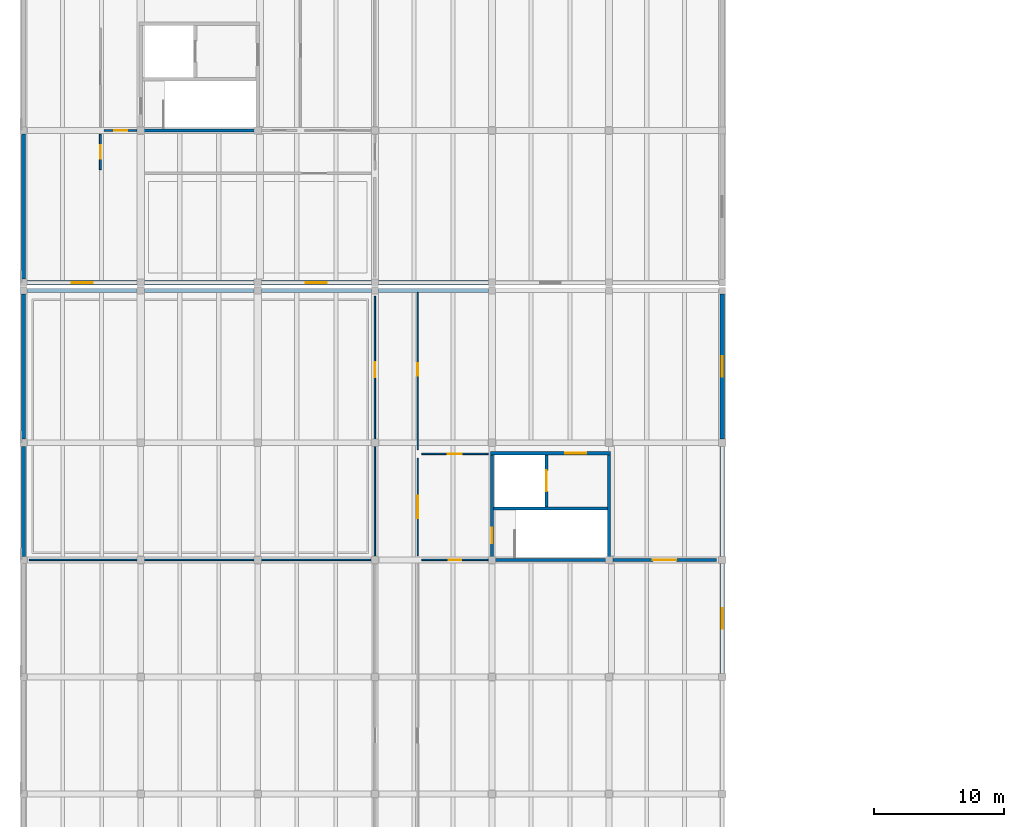
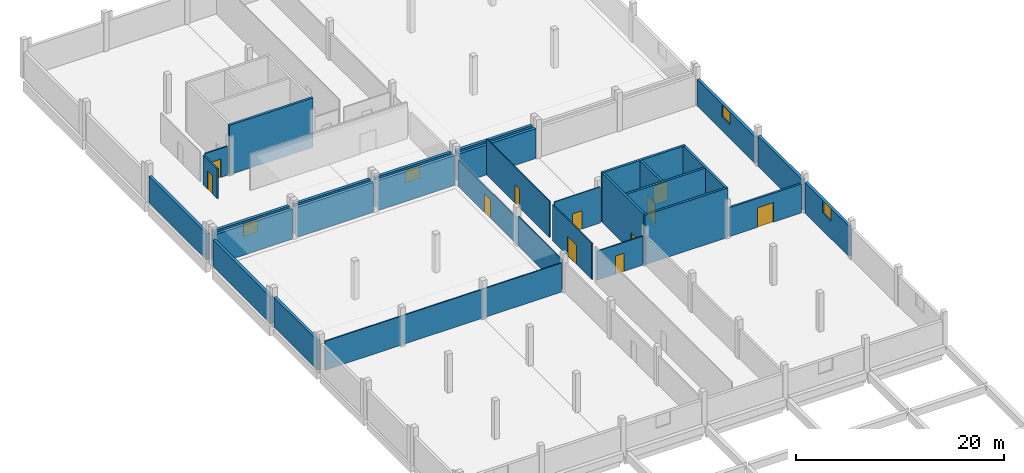
# One storey, part 10 of 25: 31 walls, 11 doors, 4 windows, 15 openings.
"""IFC4 building model written with IfcOpenShell, lengths in metres."""

from ifc_helpers import new_model, si_unit, direction, frame, frame_2d, origin, place, context, subcontext, project, spatial, rectangle, extrude, material, layer, layer_set, type_object, element, fill, save


model = new_model("IFC4")

# Units and contexts
model_context = context("Model", 3, precision=1e-05, world=origin(), true_north=direction((0.0, 1.0)))
body_context = subcontext(model_context, "Body", "Model", "MODEL_VIEW")
ifc_project = project(units=[si_unit("LENGTHUNIT", "METRE"), si_unit("AREAUNIT", "SQUARE_METRE"), si_unit("VOLUMEUNIT", "CUBIC_METRE"), si_unit("PLANEANGLEUNIT", "RADIAN"), si_unit("MASSUNIT", "GRAM", prefix="KILO")], contexts=[model_context])

# Site, building, storey
site_placement = place(None, origin())
site = spatial("IfcSite", under=ifc_project, at=site_placement, CompositionType="ELEMENT")
building_placement = place(site_placement, origin())
building = spatial("IfcBuilding", under=site, at=building_placement, Name="Zacnel Wholesale Market", CompositionType="ELEMENT")
storey_placement = place(building_placement, frame((0.0, 0.0, 15.75)))
storey = spatial("IfcBuildingStorey", under=building, at=storey_placement, Name="L04", CompositionType="ELEMENT", Elevation=15.75)

# Wall, opening, door
ifc_material_1 = material(Name="PIR insulated cold-store panel")
ifc_layer_1 = layer(ifc_material_1, 0.2099609375)
ifc_layer_set_1 = layer_set([ifc_layer_1], Name="PIR insulated cold-store panel")
wall_type_1 = type_object("IfcWallType", Name="WL-COLD-INT210", PredefinedType="STANDARD", material=ifc_layer_set_1)
wall_1_placement = place(storey_placement, frame((63.300048828125, 75.0, 0.0), z_axis=(0.0, 0.0, 1.0), x_axis=(1.0, 0.0, 0.0)))
wall_1 = element("IfcWall", 1, at=wall_1_placement, inside=storey, type_object=wall_type_1, Name="Interior partition L04-0199", PredefinedType="STANDARD", context=body_context, shape_type="SweptSolid", body=[
    extrude(rectangle(XDim=7.949951171875, YDim=0.2099609375, at=frame_2d((3.97509765625, 0.0))), origin(), (0.0, 0.0, 1.0), 3.39990234375),
])
opening_1_placement = place(wall_1_placement, frame((3.074951171875, 0.0, 0.0)))
opening_1 = element("IfcOpeningElement", 2, at=opening_1_placement, cuts=wall_1, Name="Opening FD-03", PredefinedType="OPENING", context=body_context, shape_type="SweptSolid", body=[
    extrude(rectangle(XDim=1.800048828125, YDim=2.300048828125, at=frame_2d((0.89990234375, 1.14990234375))), frame((0.0, 0.114990234375, 0.0), z_axis=(0.0, -1.0, 0.0), x_axis=(1.0, 0.0, 0.0)), (0.0, 0.0, 1.0), 0.22998046875),
])
ifc_material_2 = material(Name="Galvanized steel", Category="steel")
door_type_1 = type_object("IfcDoorType", Name="DR-FIRE-COMP-1800", OperationType="NOTDEFINED", PredefinedType="DOOR", material=ifc_material_2)
door_1_placement = place(opening_1_placement, origin())
door_1 = element("IfcDoor", 3, at=door_1_placement, inside=storey, type_object=door_type_1, Name="Interior door L04-0154", OperationType="SINGLE_SWING_LEFT", OverallHeight=2.300048828125, OverallWidth=1.800048828125, PredefinedType="DOOR", context=body_context, shape_type="SweptSolid", body=[
    extrude(rectangle(XDim=1.800048828125, YDim=2.300048828125, at=frame_2d((0.89990234375, 1.14990234375))), frame((0.0, 0.02490234375, 0.0), z_axis=(0.0, -1.0, 0.0), x_axis=(1.0, 0.0, 0.0)), (0.0, 0.0, 1.0), 0.050048828125),
])
fill(opening_1, door_1)

# Wall
ifc_material_3 = material(Name="Concrete C40/50", Category="concrete")
ifc_layer_2 = layer(ifc_material_3, 0.25)
ifc_layer_set_2 = layer_set([ifc_layer_2], Name="Concrete C40/50")
wall_type_2 = type_object("IfcWallType", Name="WL-CORE-SW250", PredefinedType="SOLIDWALL", material=ifc_layer_set_2)
wall_2_placement = place(storey_placement, frame((53.875, 75.0, 0.0), z_axis=(0.0, 0.0, 1.0), x_axis=(1.0, 0.0, 0.0)))
element("IfcWall", 4, at=wall_2_placement, inside=storey, type_object=wall_type_2, Name="Core C4 south shear wall L04", PredefinedType="SOLIDWALL", context=body_context, shape_type="SweptSolid", body=[
    extrude(rectangle(XDim=9.25, YDim=0.25, at=frame_2d((4.625, 0.0))), origin(), (0.0, 0.0, 1.0), 5.800048828125),
])

# Wall, opening, door
wall_3_placement = place(storey_placement, frame((53.875, 83.199951171875, 0.0), z_axis=(0.0, 0.0, 1.0), x_axis=(1.0, 0.0, 0.0)))
wall_3 = element("IfcWall", 5, at=wall_3_placement, inside=storey, type_object=wall_type_2, Name="Core C4 north shear wall L04", PredefinedType="SOLIDWALL", context=body_context, shape_type="SweptSolid", body=[
    extrude(rectangle(XDim=9.25, YDim=0.25, at=frame_2d((4.625, 0.0))), origin(), (0.0, 0.0, 1.0), 5.800048828125),
])
opening_2_placement = place(wall_3_placement, frame((5.77490234375, 0.0, 0.0)))
opening_2 = element("IfcOpeningElement", 6, at=opening_2_placement, cuts=wall_3, Name="Opening FD-02", PredefinedType="OPENING", context=body_context, shape_type="SweptSolid", body=[
    extrude(rectangle(XDim=1.60009765625, YDim=2.199951171875, at=frame_2d((0.800048828125, 1.10009765625))), frame((0.0, 0.135009765625, 0.0), z_axis=(0.0, -1.0, 0.0), x_axis=(1.0, 0.0, 0.0)), (0.0, 0.0, 1.0), 0.27001953125),
])
ifc_material_4 = material(Name="Galvanized steel", Category="steel")
door_type_2 = type_object("IfcDoorType", Name="DR-FIRE-LOBBY-1600", OperationType="NOTDEFINED", PredefinedType="DOOR", material=ifc_material_4)
door_2_placement = place(opening_2_placement, origin())
door_2 = element("IfcDoor", 7, at=door_2_placement, inside=storey, type_object=door_type_2, Name="Core lift lobby fire door C4 L04", OperationType="SINGLE_SWING_LEFT", OverallHeight=2.199951171875, OverallWidth=1.60009765625, PredefinedType="DOOR", context=body_context, shape_type="SweptSolid", body=[
    extrude(rectangle(XDim=1.60009765625, YDim=2.199951171875, at=frame_2d((0.800048828125, 1.10009765625))), frame((0.0, 0.02490234375, 0.0), z_axis=(0.0, -1.0, 0.0), x_axis=(1.0, 0.0, 0.0)), (0.0, 0.0, 1.0), 0.050048828125),
])
fill(opening_2, door_2)

wall_4_placement = place(storey_placement, frame((54.0, 75.125, 0.0), z_axis=(0.0, 0.0, 1.0), x_axis=(0.0, 1.0, 0.0)))
wall_4 = element("IfcWall", 8, at=wall_4_placement, inside=storey, type_object=wall_type_2, Name="Core C4 west shear wall L04", PredefinedType="SOLIDWALL", context=body_context, shape_type="SweptSolid", body=[
    extrude(rectangle(XDim=7.949951171875, YDim=0.25, at=frame_2d((3.97509765625, 0.0))), origin(), (0.0, 0.0, 1.0), 5.800048828125),
])
opening_3_placement = place(wall_4_placement, frame((1.14990234375, 0.0, 0.0)))
opening_3 = element("IfcOpeningElement", 9, at=opening_3_placement, cuts=wall_4, Name="Opening FD-01", PredefinedType="OPENING", context=body_context, shape_type="SweptSolid", body=[
    extrude(rectangle(XDim=1.199951171875, YDim=2.199951171875, at=frame_2d((0.60009765625, 1.10009765625))), frame((0.0, 0.135009765625, 0.0), z_axis=(0.0, -1.0, 0.0), x_axis=(1.0, 0.0, 0.0)), (0.0, 0.0, 1.0), 0.27001953125),
])
ifc_material_5 = material(Name="Galvanized steel", Category="steel")
door_type_3 = type_object("IfcDoorType", Name="DR-FIRE-STAIR-1200", OperationType="NOTDEFINED", PredefinedType="DOOR", material=ifc_material_5)
door_3_placement = place(opening_3_placement, origin())
door_3 = element("IfcDoor", 10, at=door_3_placement, inside=storey, type_object=door_type_3, Name="Protected stair fire door C4 L04", OperationType="SINGLE_SWING_RIGHT", OverallHeight=2.199951171875, OverallWidth=1.199951171875, PredefinedType="DOOR", context=body_context, shape_type="SweptSolid", body=[
    extrude(rectangle(XDim=1.199951171875, YDim=2.199951171875, at=frame_2d((0.60009765625, 1.10009765625))), frame((0.0, 0.02490234375, 0.0), z_axis=(0.0, -1.0, 0.0), x_axis=(1.0, 0.0, 0.0)), (0.0, 0.0, 1.0), 0.050048828125),
])
fill(opening_3, door_3)

# Walls
wall_5_placement = place(storey_placement, frame((63.0, 75.125, 0.0), z_axis=(0.0, 0.0, 1.0), x_axis=(0.0, 1.0, 0.0)))
element("IfcWall", 11, at=wall_5_placement, inside=storey, type_object=wall_type_2, Name="Core C4 east shear wall L04", PredefinedType="SOLIDWALL", context=body_context, shape_type="SweptSolid", body=[
    extrude(rectangle(XDim=7.949951171875, YDim=0.25, at=frame_2d((3.97509765625, 0.0))), origin(), (0.0, 0.0, 1.0), 5.800048828125),
])
wall_6_placement = place(storey_placement, frame((54.125, 78.949951171875, 0.0), z_axis=(0.0, 0.0, 1.0), x_axis=(1.0, 0.0, 0.0)))
element("IfcWall", 12, at=wall_6_placement, inside=storey, type_object=wall_type_2, Name="Core C4 stair-shaft shear wall L04", PredefinedType="SOLIDWALL", context=body_context, shape_type="SweptSolid", body=[
    extrude(rectangle(XDim=8.75, YDim=0.25, at=frame_2d((4.375, 0.0))), origin(), (0.0, 0.0, 1.0), 5.800048828125),
])

# Wall, opening, door
wall_7_placement = place(storey_placement, frame((58.199951171875, 79.074951171875, 0.0), z_axis=(0.0, 0.0, 1.0), x_axis=(0.0, 1.0, 0.0)))
wall_7 = element("IfcWall", 13, at=wall_7_placement, inside=storey, type_object=wall_type_2, Name="Core C4 lift shaft front wall L04", PredefinedType="SOLIDWALL", context=body_context, shape_type="SweptSolid", body=[
    extrude(rectangle(XDim=4.0, YDim=0.25, at=frame_2d((2.0, 0.0))), origin(), (0.0, 0.0, 1.0), 5.800048828125),
])
opening_4_placement = place(wall_7_placement, frame((1.199951171875, 0.0, 0.0)))
opening_4 = element("IfcOpeningElement", 14, at=opening_4_placement, cuts=wall_7, Name="Opening LD-02", PredefinedType="OPENING", context=body_context, shape_type="SweptSolid", body=[
    extrude(rectangle(XDim=1.60009765625, YDim=2.39990234375, at=frame_2d((0.800048828125, 1.199951171875))), frame((0.0, 0.135009765625, 0.0), z_axis=(0.0, -1.0, 0.0), x_axis=(1.0, 0.0, 0.0)), (0.0, 0.0, 1.0), 0.27001953125),
])
ifc_material_6 = material(Name="Galvanized steel", Category="steel")
door_type_4 = type_object("IfcDoorType", Name="DR-LIFT-GOODS-1600", OperationType="NOTDEFINED", PredefinedType="DOOR", material=ifc_material_6)
door_4_placement = place(opening_4_placement, origin())
door_4 = element("IfcDoor", 15, at=door_4_placement, inside=storey, type_object=door_type_4, Name="Lift landing door LG-02 L04", OperationType="SLIDING_TO_LEFT", OverallHeight=2.39990234375, OverallWidth=1.60009765625, PredefinedType="DOOR", context=body_context, shape_type="SweptSolid", body=[
    extrude(rectangle(XDim=1.60009765625, YDim=2.39990234375, at=frame_2d((0.800048828125, 1.199951171875))), frame((0.0, 0.02490234375, 0.0), z_axis=(0.0, -1.0, 0.0), x_axis=(1.0, 0.0, 0.0)), (0.0, 0.0, 1.0), 0.050048828125),
])
fill(opening_4, door_4)

# Walls
wall_8_placement = place(storey_placement, frame((26.875, 108.0, 0.0), z_axis=(0.0, 0.0, 1.0), x_axis=(1.0, 0.0, 0.0)))
element("IfcWall", 16, at=wall_8_placement, inside=storey, type_object=wall_type_2, Name="Core C5 south shear wall L04", PredefinedType="SOLIDWALL", context=body_context, shape_type="SweptSolid", body=[
    extrude(rectangle(XDim=9.25, YDim=0.25, at=frame_2d((4.625, 0.0))), origin(), (0.0, 0.0, 1.0), 5.800048828125),
])
ifc_material_7 = material(Name="Precast concrete C40/50 (insulated sandwich panel)", Category="concrete")
ifc_layer_3 = layer(ifc_material_7, 0.320068359375)
ifc_layer_set_3 = layer_set([ifc_layer_3], Name="Precast concrete C40/50 (insulated sandwich panel)")
wall_type_3 = type_object("IfcWallType", Name="WL-EXT-COLD-320", PredefinedType="SOLIDWALL", material=ifc_layer_set_3)
for number, where, z_axis, x_axis, name in (
    (17, (18.27490234375, 95.699951171875, 0.0), (0.0, 0.0, 1.0), (1.0, 0.0, 0.0), "Exterior wall L04-0439"),
    (18, (27.27490234375, 95.699951171875, 0.0), (0.0, 0.0, 1.0), (1.0, 0.0, 0.0), "Exterior wall L04-0440"),
    (19, (36.27490234375, 95.699951171875, 0.0), (0.0, 0.0, 1.0), (1.0, 0.0, 0.0), "Exterior wall L04-0441"),
    (20, (45.27490234375, 95.699951171875, 0.0), (0.0, 0.0, 1.0), (1.0, 0.0, 0.0), "Exterior wall L04-0442"),
):
    element("IfcWall", number, at=place(storey_placement, frame(where, z_axis=z_axis, x_axis=x_axis)), inside=storey, type_object=wall_type_3, Name=name, PredefinedType="SOLIDWALL", context=body_context, shape_type="SweptSolid", body=[
        extrude(rectangle(XDim=8.4501953125, YDim=0.320068359375, at=frame_2d((4.22509765625, 0.0))), origin(), (0.0, 0.0, 1.0), 3.5),
    ])
wall_9_placement = place(storey_placement, frame((18.0, 75.27490234375, 0.0), z_axis=(0.0, 0.0, 1.0), x_axis=(0.0, 1.0, 0.0)))
element("IfcWall", 21, at=wall_9_placement, inside=storey, type_object=wall_type_3, Name="Exterior wall L04-0448", PredefinedType="SOLIDWALL", context=body_context, shape_type="SweptSolid", body=[
    extrude(rectangle(XDim=8.4501953125, YDim=0.320068359375, at=frame_2d((4.22509765625, 0.0))), origin(), (0.0, 0.0, 1.0), 3.449951171875),
])
wall_10_placement = place(storey_placement, frame((18.0, 84.27490234375, 0.0), z_axis=(0.0, 0.0, 1.0), x_axis=(0.0, 1.0, 0.0)))
element("IfcWall", 22, at=wall_10_placement, inside=storey, type_object=wall_type_3, Name="Exterior wall L04-0449", PredefinedType="SOLIDWALL", context=body_context, shape_type="SweptSolid", body=[
    extrude(rectangle(XDim=11.150146484375, YDim=0.320068359375, at=frame_2d((5.5751953125, 0.0))), origin(), (0.0, 0.0, 1.0), 3.10009765625),
])

# Wall, opening, window
wall_11_placement = place(storey_placement, frame((71.699951171875, 66.27490234375, 0.0), z_axis=(0.0, 0.0, 1.0), x_axis=(0.0, 1.0, 0.0)))
wall_11 = element("IfcWall", 23, at=wall_11_placement, inside=storey, type_object=wall_type_3, Name="Exterior wall L04-0452", PredefinedType="SOLIDWALL", context=body_context, shape_type="SweptSolid", body=[
    extrude(rectangle(XDim=8.4501953125, YDim=0.320068359375, at=frame_2d((4.22509765625, 0.0))), origin(), (0.0, 0.0, 1.0), 3.570068359375),
])
opening_5_placement = place(wall_11_placement, frame((3.425048828125, 0.0, 2.080078125)))
opening_5 = element("IfcOpeningElement", 24, at=opening_5_placement, cuts=wall_11, Name="Opening W-06", PredefinedType="OPENING", context=body_context, shape_type="SweptSolid", body=[
    extrude(rectangle(XDim=1.60009765625, YDim=1.449951171875, at=frame_2d((0.800048828125, 0.72509765625))), frame((0.0, 0.169921875, 0.0), z_axis=(0.0, -1.0, 0.0), x_axis=(1.0, 0.0, 0.0)), (0.0, 0.0, 1.0), 0.340087890625),
])
ifc_material_8 = material(Name="Laminated hurricane-impact low-E insulated glass", Category="glass")
window_type = type_object("IfcWindowType", Name="WIN-HIG-1600X1450", PartitioningType="DOUBLE_PANEL_HORIZONTAL", PredefinedType="WINDOW", material=ifc_material_8)
window_1_placement = place(opening_5_placement, origin())
window_1 = element("IfcWindow", 25, at=window_1_placement, inside=storey, type_object=window_type, Name="Window L04-0489", OverallHeight=1.449951171875, OverallWidth=1.60009765625, PartitioningType="DOUBLE_PANEL_HORIZONTAL", PredefinedType="WINDOW", context=body_context, shape_type="SweptSolid", body=[
    extrude(rectangle(XDim=1.60009765625, YDim=1.449951171875, at=frame_2d((0.800048828125, 0.72509765625))), frame((0.0, 0.030029296875, 0.0), z_axis=(0.0, -1.0, 0.0), x_axis=(1.0, 0.0, 0.0)), (0.0, 0.0, 1.0), 0.06005859375),
])
fill(opening_5, window_1)

# Wall
wall_12_placement = place(storey_placement, frame((71.699951171875, 75.27490234375, 0.0), z_axis=(0.0, 0.0, 1.0), x_axis=(0.0, 1.0, 0.0)))
element("IfcWall", 26, at=wall_12_placement, inside=storey, type_object=wall_type_3, Name="Exterior wall L04-0453", PredefinedType="SOLIDWALL", context=body_context, shape_type="SweptSolid", body=[
    extrude(rectangle(XDim=8.4501953125, YDim=0.320068359375, at=frame_2d((4.22509765625, 0.0))), origin(), (0.0, 0.0, 1.0), 3.570068359375),
])

# Wall, opening, window
wall_13_placement = place(storey_placement, frame((71.699951171875, 84.27490234375, 0.0), z_axis=(0.0, 0.0, 1.0), x_axis=(0.0, 1.0, 0.0)))
wall_13 = element("IfcWall", 27, at=wall_13_placement, inside=storey, type_object=wall_type_3, Name="Exterior wall L04-0454", PredefinedType="SOLIDWALL", context=body_context, shape_type="SweptSolid", body=[
    extrude(rectangle(XDim=11.175048828125, YDim=0.320068359375, at=frame_2d((5.58740234375, 0.0))), origin(), (0.0, 0.0, 1.0), 3.10009765625),
])
opening_6_placement = place(wall_13_placement, frame((4.7880859375, 0.0, 1.610107421875)))
opening_6 = element("IfcOpeningElement", 28, at=opening_6_placement, cuts=wall_13, Name="Opening W-06", PredefinedType="OPENING", context=body_context, shape_type="SweptSolid", body=[
    extrude(rectangle(XDim=1.60009765625, YDim=1.449951171875, at=frame_2d((0.800048828125, 0.72509765625))), frame((0.0, 0.169921875, 0.0), z_axis=(0.0, -1.0, 0.0), x_axis=(1.0, 0.0, 0.0)), (0.0, 0.0, 1.0), 0.340087890625),
])
window_2_placement = place(opening_6_placement, origin())
window_2 = element("IfcWindow", 29, at=window_2_placement, inside=storey, type_object=window_type, Name="Window L04-0490", OverallHeight=1.449951171875, OverallWidth=1.60009765625, PartitioningType="DOUBLE_PANEL_HORIZONTAL", PredefinedType="WINDOW", context=body_context, shape_type="SweptSolid", body=[
    extrude(rectangle(XDim=1.60009765625, YDim=1.449951171875, at=frame_2d((0.800048828125, 0.72509765625))), frame((0.0, 0.030029296875, 0.0), z_axis=(0.0, -1.0, 0.0), x_axis=(1.0, 0.0, 0.0)), (0.0, 0.0, 1.0), 0.06005859375),
])
fill(opening_6, window_2)

wall_14_placement = place(storey_placement, frame((18.27490234375, 96.300048828125, 0.0), z_axis=(0.0, 0.0, 1.0), x_axis=(1.0, 0.0, 0.0)))
wall_14 = element("IfcWall", 30, at=wall_14_placement, inside=storey, type_object=wall_type_3, Name="Exterior wall L04-0455", PredefinedType="SOLIDWALL", context=body_context, shape_type="SweptSolid", body=[
    extrude(rectangle(XDim=8.4501953125, YDim=0.320068359375, at=frame_2d((4.22509765625, 0.0))), origin(), (0.0, 0.0, 1.0), 3.5),
])
opening_7_placement = place(wall_14_placement, frame((3.425048828125, 0.0, 1.610107421875)))
opening_7 = element("IfcOpeningElement", 31, at=opening_7_placement, cuts=wall_14, Name="Opening W-06", PredefinedType="OPENING", context=body_context, shape_type="SweptSolid", body=[
    extrude(rectangle(XDim=1.60009765625, YDim=1.449951171875, at=frame_2d((0.800048828125, 0.72509765625))), frame((0.0, 0.169921875, 0.0), z_axis=(0.0, -1.0, 0.0), x_axis=(1.0, 0.0, 0.0)), (0.0, 0.0, 1.0), 0.340087890625),
])
window_3_placement = place(opening_7_placement, origin())
window_3 = element("IfcWindow", 32, at=window_3_placement, inside=storey, type_object=window_type, Name="Window L04-0491", OverallHeight=1.449951171875, OverallWidth=1.60009765625, PartitioningType="DOUBLE_PANEL_HORIZONTAL", PredefinedType="WINDOW", context=body_context, shape_type="SweptSolid", body=[
    extrude(rectangle(XDim=1.60009765625, YDim=1.449951171875, at=frame_2d((0.800048828125, 0.72509765625))), frame((0.0, 0.030029296875, 0.0), z_axis=(0.0, -1.0, 0.0), x_axis=(1.0, 0.0, 0.0)), (0.0, 0.0, 1.0), 0.06005859375),
])
fill(opening_7, window_3)

# Wall
wall_15_placement = place(storey_placement, frame((27.27490234375, 96.300048828125, 0.0), z_axis=(0.0, 0.0, 1.0), x_axis=(1.0, 0.0, 0.0)))
element("IfcWall", 33, at=wall_15_placement, inside=storey, type_object=wall_type_3, Name="Exterior wall L04-0456", PredefinedType="SOLIDWALL", context=body_context, shape_type="SweptSolid", body=[
    extrude(rectangle(XDim=8.4501953125, YDim=0.320068359375, at=frame_2d((4.22509765625, 0.0))), origin(), (0.0, 0.0, 1.0), 3.5),
])

# Wall, opening, window
wall_16_placement = place(storey_placement, frame((36.27490234375, 96.300048828125, 0.0), z_axis=(0.0, 0.0, 1.0), x_axis=(1.0, 0.0, 0.0)))
wall_16 = element("IfcWall", 34, at=wall_16_placement, inside=storey, type_object=wall_type_3, Name="Exterior wall L04-0457", PredefinedType="SOLIDWALL", context=body_context, shape_type="SweptSolid", body=[
    extrude(rectangle(XDim=8.4501953125, YDim=0.320068359375, at=frame_2d((4.22509765625, 0.0))), origin(), (0.0, 0.0, 1.0), 3.5),
])
opening_8_placement = place(wall_16_placement, frame((3.425048828125, 0.0, 1.610107421875)))
opening_8 = element("IfcOpeningElement", 35, at=opening_8_placement, cuts=wall_16, Name="Opening W-06", PredefinedType="OPENING", context=body_context, shape_type="SweptSolid", body=[
    extrude(rectangle(XDim=1.60009765625, YDim=1.449951171875, at=frame_2d((0.800048828125, 0.72509765625))), frame((0.0, 0.169921875, 0.0), z_axis=(0.0, -1.0, 0.0), x_axis=(1.0, 0.0, 0.0)), (0.0, 0.0, 1.0), 0.340087890625),
])
window_4_placement = place(opening_8_placement, origin())
window_4 = element("IfcWindow", 36, at=window_4_placement, inside=storey, type_object=window_type, Name="Window L04-0492", OverallHeight=1.449951171875, OverallWidth=1.60009765625, PartitioningType="DOUBLE_PANEL_HORIZONTAL", PredefinedType="WINDOW", context=body_context, shape_type="SweptSolid", body=[
    extrude(rectangle(XDim=1.60009765625, YDim=1.449951171875, at=frame_2d((0.800048828125, 0.72509765625))), frame((0.0, 0.030029296875, 0.0), z_axis=(0.0, -1.0, 0.0), x_axis=(1.0, 0.0, 0.0)), (0.0, 0.0, 1.0), 0.06005859375),
])
fill(opening_8, window_4)

# Walls
wall_17_placement = place(storey_placement, frame((45.27490234375, 96.300048828125, 0.0), z_axis=(0.0, 0.0, 1.0), x_axis=(1.0, 0.0, 0.0)))
element("IfcWall", 37, at=wall_17_placement, inside=storey, type_object=wall_type_3, Name="Exterior wall L04-0458", PredefinedType="SOLIDWALL", context=body_context, shape_type="SweptSolid", body=[
    extrude(rectangle(XDim=8.4501953125, YDim=0.320068359375, at=frame_2d((4.22509765625, 0.0))), origin(), (0.0, 0.0, 1.0), 3.5),
])
wall_18_placement = place(storey_placement, frame((18.0, 96.574951171875, 0.0), z_axis=(0.0, 0.0, 1.0), x_axis=(0.0, 1.0, 0.0)))
element("IfcWall", 38, at=wall_18_placement, inside=storey, type_object=wall_type_3, Name="Exterior wall L04-0467", PredefinedType="SOLIDWALL", context=body_context, shape_type="SweptSolid", body=[
    extrude(rectangle(XDim=11.150146484375, YDim=0.320068359375, at=frame_2d((5.5751953125, 0.0))), origin(), (0.0, 0.0, 1.0), 3.10009765625),
])

# Wall, opening, door
ifc_material_9 = material(Name="Moisture-resistant gypsum board partition")
ifc_layer_4 = layer(ifc_material_9, 0.10009765625)
ifc_layer_set_4 = layer_set([ifc_layer_4], Name="Moisture-resistant gypsum board partition")
wall_type_4 = type_object("IfcWallType", Name="WL-PART-GYP100", PredefinedType="PARTITIONING", material=ifc_layer_set_4)
wall_19_placement = place(storey_placement, frame((48.300048828125, 83.449951171875, 0.0), z_axis=(0.0, 0.0, 1.0), x_axis=(0.0, 1.0, 0.0)))
wall_19 = element("IfcWall", 39, at=wall_19_placement, inside=storey, type_object=wall_type_4, Name="Interior partition L04-0192", PredefinedType="PARTITIONING", context=body_context, shape_type="SweptSolid", body=[
    extrude(rectangle(XDim=12.110107421875, YDim=0.10009765625, at=frame_2d((6.05517578125, 0.0))), origin(), (0.0, 0.0, 1.0), 4.22998046875),
])
opening_9_placement = place(wall_19_placement, frame((5.705078125, 0.0, 0.0)))
opening_9 = element("IfcOpeningElement", 40, at=opening_9_placement, cuts=wall_19, Name="Opening ID-11", PredefinedType="OPENING", context=body_context, shape_type="SweptSolid", body=[
    extrude(rectangle(XDim=0.93994140625, YDim=2.139892578125, at=frame_2d((0.469970703125, 1.06982421875))), frame((0.0, 0.06005859375, 0.0), z_axis=(0.0, -1.0, 0.0), x_axis=(1.0, 0.0, 0.0)), (0.0, 0.0, 1.0), 0.1201171875),
])
ifc_material_10 = material(Name="Solid-core tropical hardwood door", Category="wood")
door_type_5 = type_object("IfcDoorType", Name="DR-OFF-SGL-940", OperationType="NOTDEFINED", PredefinedType="DOOR", material=ifc_material_10)
door_5_placement = place(opening_9_placement, origin())
door_5 = element("IfcDoor", 41, at=door_5_placement, inside=storey, type_object=door_type_5, Name="Interior door L04-0149", OperationType="SINGLE_SWING_RIGHT", OverallHeight=2.139892578125, OverallWidth=0.93994140625, PredefinedType="DOOR", context=body_context, shape_type="SweptSolid", body=[
    extrude(rectangle(XDim=0.93994140625, YDim=2.139892578125, at=frame_2d((0.469970703125, 1.06982421875))), frame((0.0, 0.02490234375, 0.0), z_axis=(0.0, -1.0, 0.0), x_axis=(1.0, 0.0, 0.0)), (0.0, 0.0, 1.0), 0.050048828125),
])
fill(opening_9, door_5)

wall_20_placement = place(storey_placement, frame((48.60009765625, 83.14990234375, 0.0), z_axis=(0.0, 0.0, 1.0), x_axis=(1.0, 0.0, 0.0)))
wall_20 = element("IfcWall", 42, at=wall_20_placement, inside=storey, type_object=wall_type_4, Name="Interior partition L04-0196", PredefinedType="PARTITIONING", context=body_context, shape_type="SweptSolid", body=[
    extrude(rectangle(XDim=5.099853515625, YDim=0.10009765625, at=frame_2d((2.5498046875, 0.0))), origin(), (0.0, 0.0, 1.0), 4.22998046875),
])
opening_10_placement = place(wall_20_placement, frame((2.010009765625, 0.0, 0.0)))
opening_10 = element("IfcOpeningElement", 43, at=opening_10_placement, cuts=wall_20, Name="Opening ID-10", PredefinedType="OPENING", context=body_context, shape_type="SweptSolid", body=[
    extrude(rectangle(XDim=1.080078125, YDim=2.14990234375, at=frame_2d((0.5400390625, 1.074951171875))), frame((0.0, 0.06005859375, 0.0), z_axis=(0.0, -1.0, 0.0), x_axis=(1.0, 0.0, 0.0)), (0.0, 0.0, 1.0), 0.1201171875),
])
ifc_material_11 = material(Name="Galvanized steel", Category="steel")
door_type_6 = type_object("IfcDoorType", Name="DR-STR-SGL-1080", OperationType="NOTDEFINED", PredefinedType="DOOR", material=ifc_material_11)
door_6_placement = place(opening_10_placement, origin())
door_6 = element("IfcDoor", 44, at=door_6_placement, inside=storey, type_object=door_type_6, Name="Interior door L04-0153", OperationType="SINGLE_SWING_RIGHT", OverallHeight=2.14990234375, OverallWidth=1.080078125, PredefinedType="DOOR", context=body_context, shape_type="SweptSolid", body=[
    extrude(rectangle(XDim=1.080078125, YDim=2.14990234375, at=frame_2d((0.5400390625, 1.074951171875))), frame((0.0, 0.02490234375, 0.0), z_axis=(0.0, -1.0, 0.0), x_axis=(1.0, 0.0, 0.0)), (0.0, 0.0, 1.0), 0.050048828125),
])
fill(opening_10, door_6)

ifc_material_12 = material(Name="Moisture-resistant gypsum board partition")
ifc_layer_5 = layer(ifc_material_12, 0.110107421875)
ifc_layer_set_5 = layer_set([ifc_layer_5], Name="Moisture-resistant gypsum board partition")
wall_type_5 = type_object("IfcWallType", Name="WL-PART-GYP110", PredefinedType="PARTITIONING", material=ifc_layer_set_5)
wall_21_placement = place(storey_placement, frame((48.60009765625, 75.0, 0.0), z_axis=(0.0, 0.0, 1.0), x_axis=(1.0, 0.0, 0.0)))
wall_21 = element("IfcWall", 45, at=wall_21_placement, inside=storey, type_object=wall_type_5, Name="Interior partition L04-0195", PredefinedType="PARTITIONING", context=body_context, shape_type="SweptSolid", body=[
    extrude(rectangle(XDim=5.099853515625, YDim=0.110107421875, at=frame_2d((2.5498046875, 0.0))), origin(), (0.0, 0.0, 1.0), 3.39990234375),
])
opening_11_placement = place(wall_21_placement, frame((2.06005859375, 0.0, 0.0)))
opening_11 = element("IfcOpeningElement", 46, at=opening_11_placement, cuts=wall_21, Name="Opening ID-04", PredefinedType="OPENING", context=body_context, shape_type="SweptSolid", body=[
    extrude(rectangle(XDim=0.97998046875, YDim=2.1201171875, at=frame_2d((0.489990234375, 1.06005859375))), frame((0.0, 0.06494140625, 0.0), z_axis=(0.0, -1.0, 0.0), x_axis=(1.0, 0.0, 0.0)), (0.0, 0.0, 1.0), 0.130126953125),
])
ifc_material_13 = material(Name="Solid-core tropical hardwood door", Category="wood")
door_type_7 = type_object("IfcDoorType", Name="DR-OFF-SGL-980", OperationType="NOTDEFINED", PredefinedType="DOOR", material=ifc_material_13)
door_7_placement = place(opening_11_placement, origin())
door_7 = element("IfcDoor", 47, at=door_7_placement, inside=storey, type_object=door_type_7, Name="Interior door L04-0152", OperationType="SINGLE_SWING_LEFT", OverallHeight=2.1201171875, OverallWidth=0.97998046875, PredefinedType="DOOR", context=body_context, shape_type="SweptSolid", body=[
    extrude(rectangle(XDim=0.97998046875, YDim=2.1201171875, at=frame_2d((0.489990234375, 1.06005859375))), frame((0.0, 0.02490234375, 0.0), z_axis=(0.0, -1.0, 0.0), x_axis=(1.0, 0.0, 0.0)), (0.0, 0.0, 1.0), 0.050048828125),
])
fill(opening_11, door_7)

ifc_material_14 = material(Name="Moisture-resistant gypsum board partition")
ifc_layer_6 = layer(ifc_material_14, 0.125)
ifc_layer_set_6 = layer_set([ifc_layer_6], Name="Moisture-resistant gypsum board partition")
wall_type_6 = type_object("IfcWallType", Name="WL-PART-GYP125", PredefinedType="PARTITIONING", material=ifc_layer_set_6)
wall_22_placement = place(storey_placement, frame((48.300048828125, 75.300048828125, 0.0), z_axis=(0.0, 0.0, 1.0), x_axis=(0.0, 1.0, 0.0)))
wall_22 = element("IfcWall", 48, at=wall_22_placement, inside=storey, type_object=wall_type_6, Name="Interior partition L04-0190", PredefinedType="PARTITIONING", context=body_context, shape_type="SweptSolid", body=[
    extrude(rectangle(XDim=7.550048828125, YDim=0.125, at=frame_2d((3.77490234375, 0.0))), origin(), (0.0, 0.0, 1.0), 4.22998046875),
])
opening_12_placement = place(wall_22_placement, frame((2.905029296875, 0.0, 0.0)))
opening_12 = element("IfcOpeningElement", 49, at=opening_12_placement, cuts=wall_22, Name="Opening ID-15", PredefinedType="OPENING", context=body_context, shape_type="SweptSolid", body=[
    extrude(rectangle(XDim=1.739990234375, YDim=2.280029296875, at=frame_2d((0.8701171875, 1.14013671875))), frame((0.0, 0.072509765625, 0.0), z_axis=(0.0, -1.0, 0.0), x_axis=(1.0, 0.0, 0.0)), (0.0, 0.0, 1.0), 0.14501953125),
])
ifc_material_15 = material(Name="Solid-core tropical hardwood door", Category="wood")
door_type_8 = type_object("IfcDoorType", Name="DR-HALL-DBL-1740", OperationType="NOTDEFINED", PredefinedType="DOOR", material=ifc_material_15)
door_8_placement = place(opening_12_placement, origin())
door_8 = element("IfcDoor", 50, at=door_8_placement, inside=storey, type_object=door_type_8, Name="Interior door L04-0147", OperationType="DOUBLE_DOOR_SINGLE_SWING", OverallHeight=2.280029296875, OverallWidth=1.739990234375, PredefinedType="DOOR", context=body_context, shape_type="SweptSolid", body=[
    extrude(rectangle(XDim=1.739990234375, YDim=2.280029296875, at=frame_2d((0.8701171875, 1.14013671875))), frame((0.0, 0.02490234375, 0.0), z_axis=(0.0, -1.0, 0.0), x_axis=(1.0, 0.0, 0.0)), (0.0, 0.0, 1.0), 0.050048828125),
])
fill(opening_12, door_8)

# Walls
wall_23_placement = place(storey_placement, frame((45.0, 75.300048828125, 0.0), z_axis=(0.0, 0.0, 1.0), x_axis=(0.0, 1.0, 0.0)))
element("IfcWall", 51, at=wall_23_placement, inside=storey, type_object=wall_type_6, Name="Interior partition L04-0194", PredefinedType="PARTITIONING", context=body_context, shape_type="SweptSolid", body=[
    extrude(rectangle(XDim=8.425048828125, YDim=0.125, at=frame_2d((4.21240234375, 0.0))), origin(), (0.0, 0.0, 1.0), 3.449951171875),
])
wall_24_placement = place(storey_placement, frame((18.449951171875, 75.0, 0.0), z_axis=(0.0, 0.0, 1.0), x_axis=(1.0, 0.0, 0.0)))
element("IfcWall", 52, at=wall_24_placement, inside=storey, type_object=wall_type_6, Name="Interior partition L04-0198", PredefinedType="PARTITIONING", context=body_context, shape_type="SweptSolid", body=[
    extrude(rectangle(XDim=26.25, YDim=0.125, at=frame_2d((13.125, 0.0))), origin(), (0.0, 0.0, 1.0), 3.39990234375),
])

# Wall, opening, door
wall_25_placement = place(storey_placement, frame((45.0, 83.72509765625, 0.0), z_axis=(0.0, 0.0, 1.0), x_axis=(0.0, 1.0, 0.0)))
wall_25 = element("IfcWall", 53, at=wall_25_placement, inside=storey, type_object=wall_type_6, Name="Interior partition L04-0194 part 2", PredefinedType="PARTITIONING", context=body_context, shape_type="SweptSolid", body=[
    extrude(rectangle(XDim=11.52490234375, YDim=0.125, at=frame_2d((5.762451171875, 0.0))), origin(), (0.0, 0.0, 1.0), 3.10009765625),
])
opening_13_placement = place(wall_25_placement, frame((5.320068359375, 0.0, 0.0)))
opening_13 = element("IfcOpeningElement", 54, at=opening_13_placement, cuts=wall_25, Name="Opening ID-13", PredefinedType="OPENING", context=body_context, shape_type="SweptSolid", body=[
    extrude(rectangle(XDim=1.159912109375, YDim=2.219970703125, at=frame_2d((0.580078125, 1.10986328125))), frame((0.0, 0.072509765625, 0.0), z_axis=(0.0, -1.0, 0.0), x_axis=(1.0, 0.0, 0.0)), (0.0, 0.0, 1.0), 0.14501953125),
])
ifc_material_16 = material(Name="Solid-core tropical hardwood door", Category="wood")
door_type_9 = type_object("IfcDoorType", Name="DR-LAB-SGL-1160", OperationType="NOTDEFINED", PredefinedType="DOOR", material=ifc_material_16)
door_9_placement = place(opening_13_placement, origin())
door_9 = element("IfcDoor", 55, at=door_9_placement, inside=storey, type_object=door_type_9, Name="Interior door L04-0151", OperationType="SINGLE_SWING_RIGHT", OverallHeight=2.219970703125, OverallWidth=1.159912109375, PredefinedType="DOOR", context=body_context, shape_type="SweptSolid", body=[
    extrude(rectangle(XDim=1.159912109375, YDim=2.219970703125, at=frame_2d((0.580078125, 1.10986328125))), frame((0.0, 0.02490234375, 0.0), z_axis=(0.0, -1.0, 0.0), x_axis=(1.0, 0.0, 0.0)), (0.0, 0.0, 1.0), 0.050048828125),
])
fill(opening_13, door_9)

ifc_material_17 = material(Name="Moisture-resistant gypsum board partition")
ifc_layer_7 = layer(ifc_material_17, 0.139892578125)
ifc_layer_set_7 = layer_set([ifc_layer_7], Name="Moisture-resistant gypsum board partition")
wall_type_7 = type_object("IfcWallType", Name="WL-PART-GYP140", PredefinedType="PARTITIONING", material=ifc_layer_set_7)
wall_26_placement = place(storey_placement, frame((24.199951171875, 108.0, 0.0), z_axis=(0.0, 0.0, 1.0), x_axis=(1.0, 0.0, 0.0)))
wall_26 = element("IfcWall", 56, at=wall_26_placement, inside=storey, type_object=wall_type_7, Name="Interior partition L04-0201", PredefinedType="PARTITIONING", context=body_context, shape_type="SweptSolid", body=[
    extrude(rectangle(XDim=2.5, YDim=0.139892578125, at=frame_2d((1.25, 0.0))), origin(), (0.0, 0.0, 1.0), 3.39990234375),
])
opening_14_placement = place(wall_26_placement, frame((0.75, 0.0, 0.0)))
opening_14 = element("IfcOpeningElement", 57, at=opening_14_placement, cuts=wall_26, Name="Opening ID-03", PredefinedType="OPENING", context=body_context, shape_type="SweptSolid", body=[
    extrude(rectangle(XDim=1.0, YDim=2.14990234375, at=frame_2d((0.5, 1.074951171875))), frame((0.0, 0.079833984375, 0.0), z_axis=(0.0, -1.0, 0.0), x_axis=(1.0, 0.0, 0.0)), (0.0, 0.0, 1.0), 0.159912109375),
])
ifc_material_18 = material(Name="Solid-core tropical hardwood door", Category="wood")
door_type_10 = type_object("IfcDoorType", Name="DR-OFF-SGL-1000", OperationType="NOTDEFINED", PredefinedType="DOOR", material=ifc_material_18)
door_10_placement = place(opening_14_placement, origin())
door_10 = element("IfcDoor", 58, at=door_10_placement, inside=storey, type_object=door_type_10, Name="Interior door L04-0156", OperationType="SINGLE_SWING_LEFT", OverallHeight=2.14990234375, OverallWidth=1.0, PredefinedType="DOOR", context=body_context, shape_type="SweptSolid", body=[
    extrude(rectangle(XDim=1.0, YDim=2.14990234375, at=frame_2d((0.5, 1.074951171875))), frame((0.0, 0.02490234375, 0.0), z_axis=(0.0, -1.0, 0.0), x_axis=(1.0, 0.0, 0.0)), (0.0, 0.0, 1.0), 0.050048828125),
])
fill(opening_14, door_10)

wall_27_placement = place(storey_placement, frame((23.89990234375, 105.0, 0.0), z_axis=(0.0, 0.0, 1.0), x_axis=(0.0, 1.0, 0.0)))
wall_27 = element("IfcWall", 59, at=wall_27_placement, inside=storey, type_object=wall_type_7, Name="Interior partition L04-0205", PredefinedType="PARTITIONING", context=body_context, shape_type="SweptSolid", body=[
    extrude(rectangle(XDim=2.699951171875, YDim=0.139892578125, at=frame_2d((1.35009765625, 0.0))), origin(), (0.0, 0.0, 1.0), 3.5),
])
opening_15_placement = place(wall_27_placement, frame((0.840087890625, 0.0, 0.0)))
opening_15 = element("IfcOpeningElement", 60, at=opening_15_placement, cuts=wall_27, Name="Opening ID-12", PredefinedType="OPENING", context=body_context, shape_type="SweptSolid", body=[
    extrude(rectangle(XDim=1.02001953125, YDim=2.179931640625, at=frame_2d((0.510009765625, 1.08984375))), frame((0.0, 0.079833984375, 0.0), z_axis=(0.0, -1.0, 0.0), x_axis=(1.0, 0.0, 0.0)), (0.0, 0.0, 1.0), 0.159912109375),
])
ifc_material_19 = material(Name="Solid-core tropical hardwood door", Category="wood")
door_type_11 = type_object("IfcDoorType", Name="DR-OFF-SGL-1020", OperationType="NOTDEFINED", PredefinedType="DOOR", material=ifc_material_19)
door_11_placement = place(opening_15_placement, origin())
door_11 = element("IfcDoor", 61, at=door_11_placement, inside=storey, type_object=door_type_11, Name="Interior door L04-0160", OperationType="SINGLE_SWING_LEFT", OverallHeight=2.179931640625, OverallWidth=1.02001953125, PredefinedType="DOOR", context=body_context, shape_type="SweptSolid", body=[
    extrude(rectangle(XDim=1.02001953125, YDim=2.179931640625, at=frame_2d((0.510009765625, 1.08984375))), frame((0.0, 0.02490234375, 0.0), z_axis=(0.0, -1.0, 0.0), x_axis=(1.0, 0.0, 0.0)), (0.0, 0.0, 1.0), 0.050048828125),
])
fill(opening_15, door_11)

save(model, "model.ifc")
